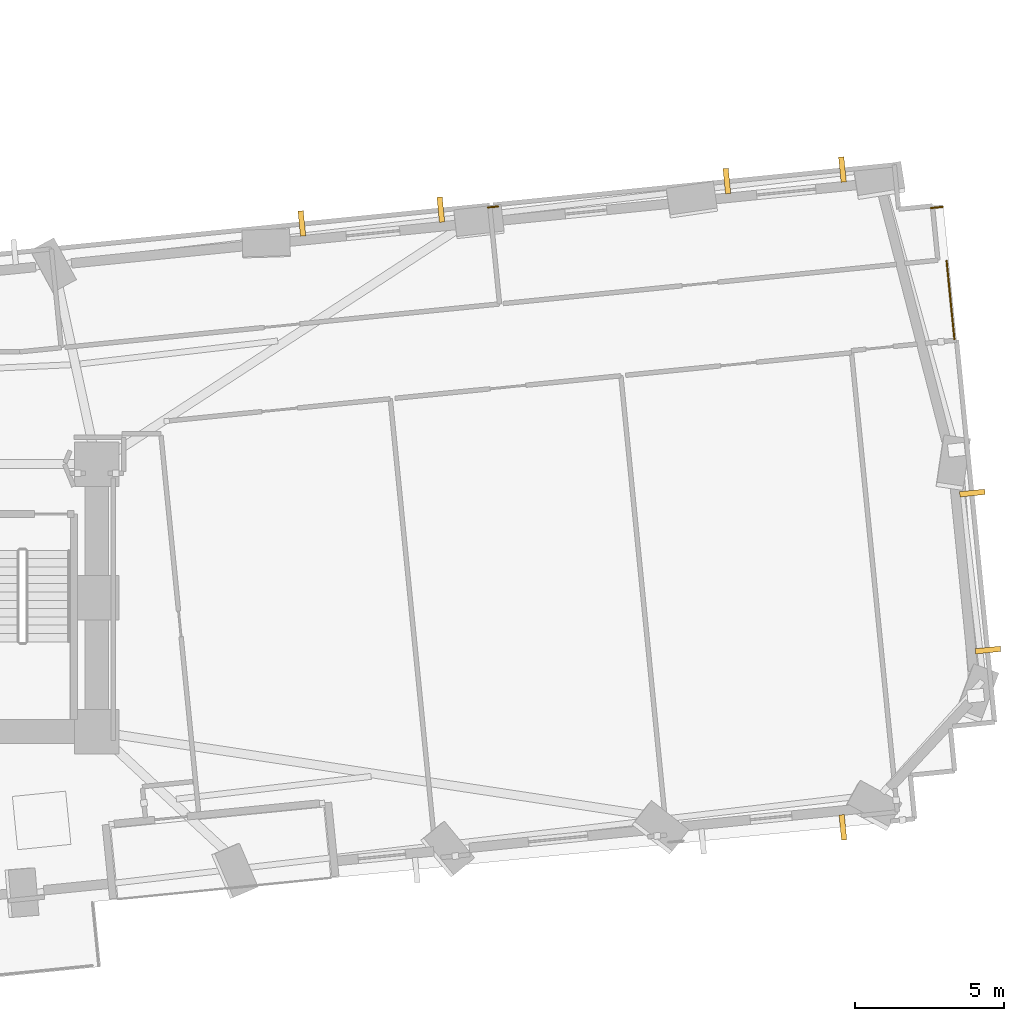
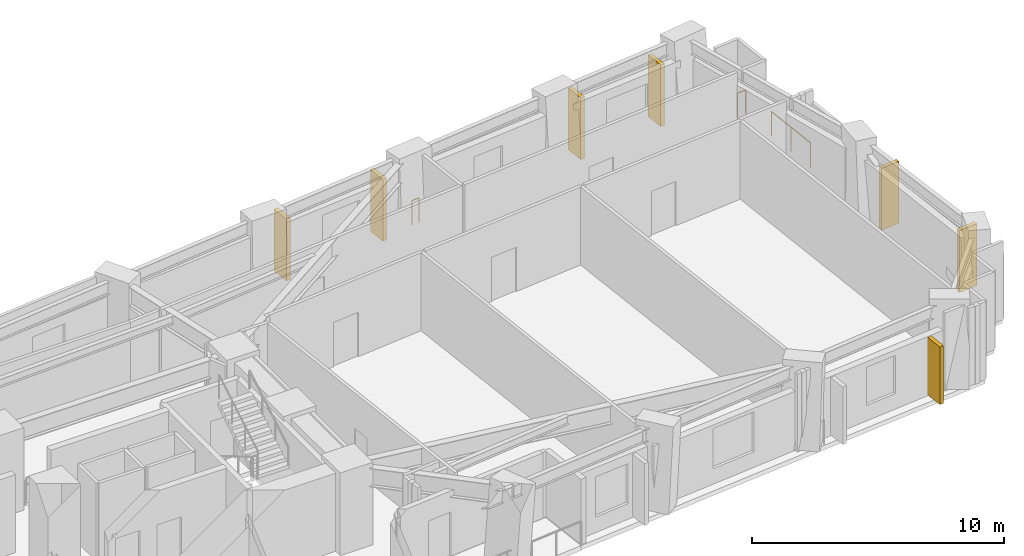
# One storey, part 15 of 16: 7 shading devices, 3 railings.
"""IFC4 building model written with IfcOpenShell, lengths in metres."""

from ifc_helpers import new_model, si_unit, direction, frame, origin, origin_2d, place, context, subcontext, project, spatial, rectangle, circle, extrude, material, layer, layer_set, type_object, element, save


model = new_model("IFC4")

# Units and contexts
model_context = context("Model", 3, precision=1e-05, world=origin(), true_north=direction((0.0, 1.0)))
body_context = subcontext(model_context, "Body", "Model", "MODEL_VIEW")
ifc_project = project(units=[si_unit("LENGTHUNIT", "METRE"), si_unit("AREAUNIT", "SQUARE_METRE"), si_unit("VOLUMEUNIT", "CUBIC_METRE"), si_unit("PLANEANGLEUNIT", "RADIAN"), si_unit("MASSUNIT", "GRAM", prefix="KILO")], contexts=[model_context])

# Site, building, storey
site_placement = place(None, origin())
site = spatial("IfcSite", under=ifc_project, at=site_placement, CompositionType="ELEMENT")
building_placement = place(site_placement, origin())
building = spatial("IfcBuilding", under=site, at=building_placement, Name="Gaonmaruhae Medical Tower", CompositionType="ELEMENT")
storey_placement = place(building_placement, frame((0.0, 0.0, 47.0)))
storey = spatial("IfcBuildingStorey", under=building, at=storey_placement, Name="L10", CompositionType="ELEMENT", Elevation=47.0)

# Railings
ifc_material_1 = material(Name="Stainless steel 316L and laminated safety glass", Category="steel")
ifc_layer = layer(ifc_material_1, 0.080078125)
ifc_layer_set = layer_set([ifc_layer], Name="Stainless steel 316L and laminated safety glass")
railing_type = type_object("IfcRailingType", Name="GD-120 Outdoor Terrace Safety Glass & Steel Balustrade", PredefinedType="BALUSTRADE", material=ifc_layer_set)
railing_1_placement = place(storey_placement, frame((48.759521484375, 25.438720703125, 0.0)))
element("IfcRailing", 1, at=railing_1_placement, inside=storey, type_object=railing_type, Name="L10 Perimeter Slab Edge Safety Balustrade 03", PredefinedType="BALUSTRADE", context=body_context, shape_type="SweptSolid", body=[
    extrude(circle(Radius=0.02392578125, at=origin_2d()), frame((0.0, 0.0, 1.17578125), z_axis=(0.995072694169, 0.099148037397, 0.0), x_axis=(-0.099148037397, 0.995072694169, 0.0)), (0.0, 0.0, 1.0), 0.33984375),
    extrude(circle(Radius=0.02099609375, at=origin_2d()), origin(), (0.0, 0.0, 1.0), 1.15185546875),
    extrude(circle(Radius=0.02099609375, at=origin_2d()), frame((0.338134765625, 0.03369140625, 0.0)), (0.0, 0.0, 1.0), 1.15185546875),
])
railing_2_placement = place(storey_placement, frame((63.673828125, 25.419921875, 0.0)))
element("IfcRailing", 2, at=railing_2_placement, inside=storey, type_object=railing_type, Name="L10 Perimeter Slab Edge Safety Balustrade 04", PredefinedType="BALUSTRADE", context=body_context, shape_type="SweptSolid", body=[
    extrude(circle(Radius=0.02392578125, at=origin_2d()), frame((0.0, 0.0, 1.17578125), z_axis=(0.995055611123, 0.099319337355, 0.0), x_axis=(-0.099319337355, 0.995055611123, 0.0)), (0.0, 0.0, 1.0), 0.393310546875),
    extrude(circle(Radius=0.02099609375, at=origin_2d()), origin(), (0.0, 0.0, 1.0), 1.15185546875),
    extrude(circle(Radius=0.02099609375, at=origin_2d()), frame((0.391357421875, 0.0390625, 0.0)), (0.0, 0.0, 1.0), 1.15185546875),
])
railing_3_placement = place(storey_placement, frame((64.195556640625, 23.648681640625, 0.0)))
element("IfcRailing", 3, at=railing_3_placement, inside=storey, type_object=railing_type, Name="L10 Perimeter Slab Edge Safety Balustrade 05", PredefinedType="BALUSTRADE", context=body_context, shape_type="SweptSolid", body=[
    extrude(circle(Radius=0.02392578125, at=origin_2d()), frame((0.0, 0.0, 1.17578125), z_axis=(0.099312874201, -0.995056256208, 0.0), x_axis=(0.995056256208, 0.099312874201, 0.0)), (0.0, 0.0, 1.0), 2.659912109375),
    extrude(circle(Radius=0.02099609375, at=origin_2d()), origin(), (0.0, 0.0, 1.0), 1.15185546875),
    extrude(circle(Radius=0.02099609375, at=origin_2d()), frame((0.132080078125, -1.3232421875, 0.0)), (0.0, 0.0, 1.0), 1.15185546875),
    extrude(circle(Radius=0.02099609375, at=origin_2d()), frame((0.26416015625, -2.646728515625, 0.0)), (0.0, 0.0, 1.0), 1.15185546875),
])

# Shading devices
ifc_material_2 = material(Name="Pigmented coral precast concrete C45/55", Category="concrete")
shading_device_type = type_object("IfcShadingDeviceType", Name="SD-FIN1 Tower Vertical Coral Precast Shading Fin", PredefinedType="USERDEFINED", material=ifc_material_2)
shading_device_placement = place(storey_placement, frame((60.70751953125, 4.577392578125, 0.0400390625), z_axis=(0.0, 0.0, 1.0), x_axis=(-0.995053836353, -0.099337116724, 0.0)))
element("IfcShadingDevice", 4, at=shading_device_placement, inside=storey, type_object=shading_device_type, Name="L10 Vertical Coral Precast Shading Fin S07", ObjectType="FIN", PredefinedType="USERDEFINED", context=body_context, shape_type="SweptSolid", body=[
    extrude(rectangle(XDim=0.179931640625, YDim=0.85009765625, at=origin_2d()), origin(), (0.0, 0.0, 1.0), 2.784912109375),
])
for number, where, z_axis, x_axis, name in (
    (5, (65.061767578125, 15.827392578125, 0.08251953125), (0.0, 0.0, 1.0), (0.099319749744, -0.995055569961, 0.0), "L10 Vertical Coral Precast Shading Fin E01"),
    (6, (65.589111328125, 10.54345703125, 0.08251953125), (0.0, 0.0, 1.0), (0.099319749744, -0.995055569961, 0.0), "L10 Vertical Coral Precast Shading Fin E01B"),
    (7, (56.802490234375, 26.3271484375, 0.08251953125), (0.0, 0.0, 1.0), (0.995057303266, 0.099302382733, 0.0), "L10 Vertical Coral Precast Shading Fin E03"),
    (8, (60.6923828125, 26.71533203125, 0.08251953125), (0.0, 0.0, 1.0), (0.995057303266, 0.099302382733, 0.0), "L10 Vertical Coral Precast Shading Fin E03B"),
    (9, (42.49951171875, 24.8994140625, 0.08251953125), (0.0, 0.0, 1.0), (0.995055569961, 0.099319749744, 0.0), "L10 Vertical Coral Precast Shading Fin EN02"),
    (10, (47.17578125, 25.3662109375, 0.08251953125), (0.0, 0.0, 1.0), (0.995055569961, 0.099319749744, 0.0), "L10 Vertical Coral Precast Shading Fin EN02B"),
):
    element("IfcShadingDevice", number, at=place(storey_placement, frame(where, z_axis=z_axis, x_axis=x_axis)), inside=storey, type_object=shading_device_type, Name=name, ObjectType="FIN", PredefinedType="USERDEFINED", context=body_context, shape_type="SweptSolid", body=[
        extrude(rectangle(XDim=0.179931640625, YDim=0.85009765625, at=origin_2d()), origin(), (0.0, 0.0, 1.0), 3.0),
    ])

save(model, "model.ifc")
